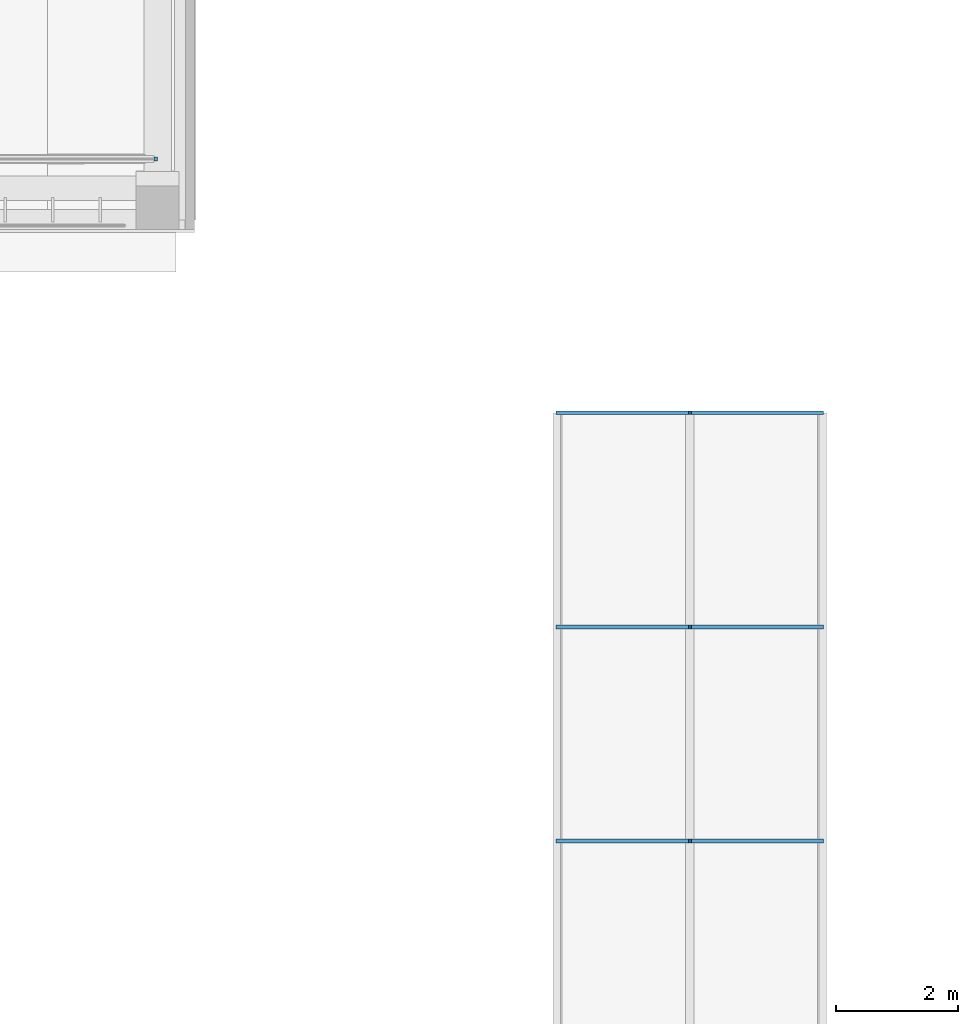
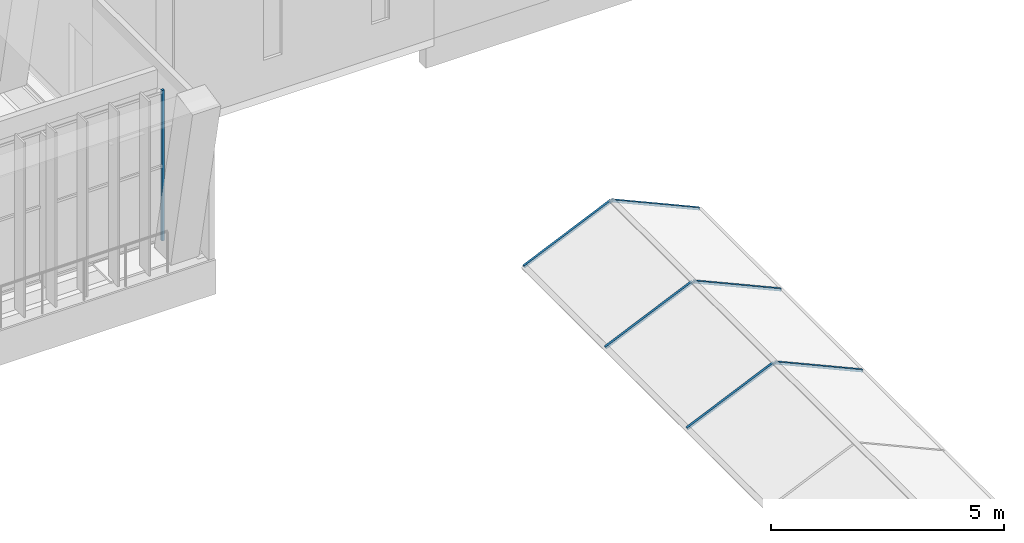
# One storey, part 11 of 73: 7 members, 2 elements without a shape of their own.
"""IFC4 building model written with IfcOpenShell, lengths in metres."""

from ifc_helpers import new_model, si_unit, direction, frame, origin, origin_2d, place, context, subcontext, project, spatial, rectangle, extrude, material, layer, layer_set, material_profile, profile_set, type_object, element, aggregate, save


model = new_model("IFC4")

# Units and contexts
model_context = context("Model", 3, precision=1e-05, world=origin(), true_north=direction((0.0, 1.0)))
body_context = subcontext(model_context, "Body", "Model", "MODEL_VIEW")
ifc_project = project(units=[si_unit("LENGTHUNIT", "METRE"), si_unit("AREAUNIT", "SQUARE_METRE"), si_unit("VOLUMEUNIT", "CUBIC_METRE"), si_unit("PLANEANGLEUNIT", "RADIAN"), si_unit("MASSUNIT", "GRAM", prefix="KILO")], contexts=[model_context])

# Site, building, storey
site_placement = place(None, origin())
site = spatial("IfcSite", under=ifc_project, at=site_placement, CompositionType="ELEMENT")
building_placement = place(site_placement, origin())
building = spatial("IfcBuilding", under=site, at=building_placement, Name="Lantern Court Media Centre", CompositionType="ELEMENT")
storey_placement = place(building_placement, frame((0.0, 0.0, 24.0)))
storey = spatial("IfcBuildingStorey", under=building, at=storey_placement, Name="L05", CompositionType="ELEMENT", Elevation=24.0)

# Curtain wall, member
ifc_material_1 = material(Name="Curtain wall bay 3000")
curtain_wall_type_1 = type_object("IfcCurtainWallType", Name="Curtain wall bay 3000", PredefinedType="NOTDEFINED", material=ifc_material_1)
curtain_wall_1_placement = place(storey_placement, origin())
curtain_wall_1 = element("IfcCurtainWall", 1, at=curtain_wall_1_placement, inside=storey, type_object=curtain_wall_type_1, Name="Curtain wall S outer L05", PredefinedType="NOTDEFINED")
ifc_material_2 = material(Name="Anodised aluminium", Category="aluminium")
ifc_material_profile_1 = material_profile(ifc_material_2, rectangle(XDim=0.06005859375, YDim=0.06005859375, at=origin_2d()), Name="AL 60x60")
ifc_profile_set_1 = profile_set([ifc_material_profile_1], Name="Anodised aluminium")
member_type_1 = type_object("IfcMemberType", Name="Curtain wall mullion 60x60", PredefinedType="MULLION", material=ifc_profile_set_1)
member_1_placement = place(storey_placement, frame((79.27001953125, 44.14990234375, 0.0), z_axis=(0.0, 0.0, 1.0), x_axis=(0.0, 1.0, 0.0)))
member_1 = element("IfcMember", 2, at=member_1_placement, type_object=member_type_1, Name="CW1 mullion 6", PredefinedType="MULLION", context=body_context, shape_type="SweptSolid", body=[
    extrude(rectangle(XDim=0.06005859375, YDim=0.06005859375, at=origin_2d()), origin(), (0.0, 0.0, 1.0), 3.949951171875),
])
aggregate(curtain_wall_1, [member_1])

# Curtain wall, members
ifc_material_3 = material(Name="Aluminium and glass", Category="aluminium")
ifc_layer = layer(ifc_material_3, 0.14990234375)
ifc_layer_set = layer_set([ifc_layer], Name="Aluminium and glass")
curtain_wall_type_2 = type_object("IfcCurtainWallType", Name="Hall lancet glazing", PredefinedType="NOTDEFINED", material=ifc_layer_set)
curtain_wall_2_placement = place(storey_placement, origin())
curtain_wall_2 = element("IfcCurtainWall", 3, at=curtain_wall_2_placement, inside=storey, type_object=curtain_wall_type_2, Name="Studio Hall ridge roof-light", PredefinedType="NOTDEFINED")
ifc_material_4 = material(Name="Aluminium, anodised", Category="aluminium")
ifc_material_profile_2 = material_profile(ifc_material_4, rectangle(XDim=0.06005859375, YDim=0.06005859375, at=origin_2d()), Name="Roof-light bar")
ifc_profile_set_2 = profile_set([ifc_material_profile_2], Name="Aluminium, anodised")
member_type_2 = type_object("IfcMemberType", Name="Roof-light bar", PredefinedType="MULLION", material=ifc_profile_set_2)
placement = place(building_placement, frame((0.0, 0.0, 19.199951171875)))
member_2_placement = place(placement, frame((85.825927734375, 33.0, 4.330810546875), z_axis=(0.912912280931, 0.0, 0.408155812559), x_axis=(0.0, 1.0, 0.0)))
member_2 = element("IfcMember", 4, at=member_2_placement, type_object=member_type_2, Name="Studio Hall roof-light bar", PredefinedType="MULLION", context=body_context, shape_type="SweptSolid", body=[
    extrude(rectangle(XDim=0.06005859375, YDim=0.06005859375, at=origin_2d()), origin(), (0.0, 0.0, 1.0), 2.3681640625),
])
member_3_placement = place(placement, frame((85.825927734375, 36.5, 4.330810546875), z_axis=(0.912912280931, 0.0, 0.408155812559), x_axis=(0.0, 1.0, 0.0)))
member_3 = element("IfcMember", 5, at=member_3_placement, type_object=member_type_2, Name="Studio Hall roof-light bar", PredefinedType="MULLION", context=body_context, shape_type="SweptSolid", body=[
    extrude(rectangle(XDim=0.06005859375, YDim=0.06005859375, at=origin_2d()), origin(), (0.0, 0.0, 1.0), 2.3681640625),
])
member_4_placement = place(placement, frame((85.825927734375, 40.0, 4.330810546875), z_axis=(0.912912280931, 0.0, 0.408155812559), x_axis=(0.0, 1.0, 0.0)))
member_4 = element("IfcMember", 6, at=member_4_placement, type_object=member_type_2, Name="Studio Hall roof-light bar", PredefinedType="MULLION", context=body_context, shape_type="SweptSolid", body=[
    extrude(rectangle(XDim=0.06005859375, YDim=0.06005859375, at=origin_2d()), origin(), (0.0, 0.0, 1.0), 2.3681640625),
])
member_5_placement = place(storey_placement, frame((88.01220703125, 33.0, 0.497314453125), z_axis=(0.912912280931, 0.0, -0.408155812559), x_axis=(0.0, 1.0, 0.0)))
member_5 = element("IfcMember", 7, at=member_5_placement, type_object=member_type_2, Name="Studio Hall roof-light bar", PredefinedType="MULLION", context=body_context, shape_type="SweptSolid", body=[
    extrude(rectangle(XDim=0.06005859375, YDim=0.06005859375, at=origin_2d()), origin(), (0.0, 0.0, 1.0), 2.3681640625),
])
member_6_placement = place(storey_placement, frame((88.01220703125, 36.5, 0.497314453125), z_axis=(0.912912280931, 0.0, -0.408155812559), x_axis=(0.0, 1.0, 0.0)))
member_6 = element("IfcMember", 8, at=member_6_placement, type_object=member_type_2, Name="Studio Hall roof-light bar", PredefinedType="MULLION", context=body_context, shape_type="SweptSolid", body=[
    extrude(rectangle(XDim=0.06005859375, YDim=0.06005859375, at=origin_2d()), origin(), (0.0, 0.0, 1.0), 2.3681640625),
])
member_7_placement = place(storey_placement, frame((88.01220703125, 40.0, 0.497314453125), z_axis=(0.912912280931, 0.0, -0.408155812559), x_axis=(0.0, 1.0, 0.0)))
member_7 = element("IfcMember", 9, at=member_7_placement, type_object=member_type_2, Name="Studio Hall roof-light bar", PredefinedType="MULLION", context=body_context, shape_type="SweptSolid", body=[
    extrude(rectangle(XDim=0.06005859375, YDim=0.06005859375, at=origin_2d()), origin(), (0.0, 0.0, 1.0), 2.3681640625),
])
aggregate(curtain_wall_2, [member_2, member_3, member_4, member_5, member_6, member_7])

save(model, "model.ifc")
